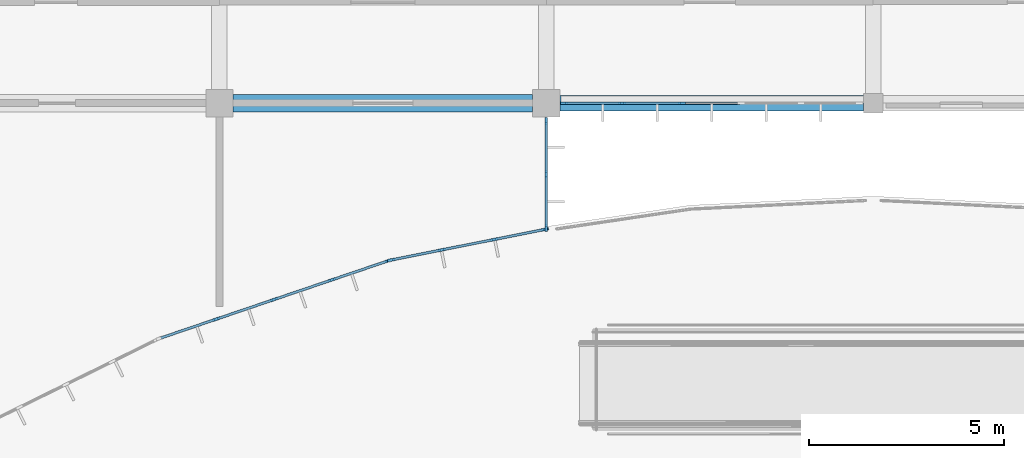
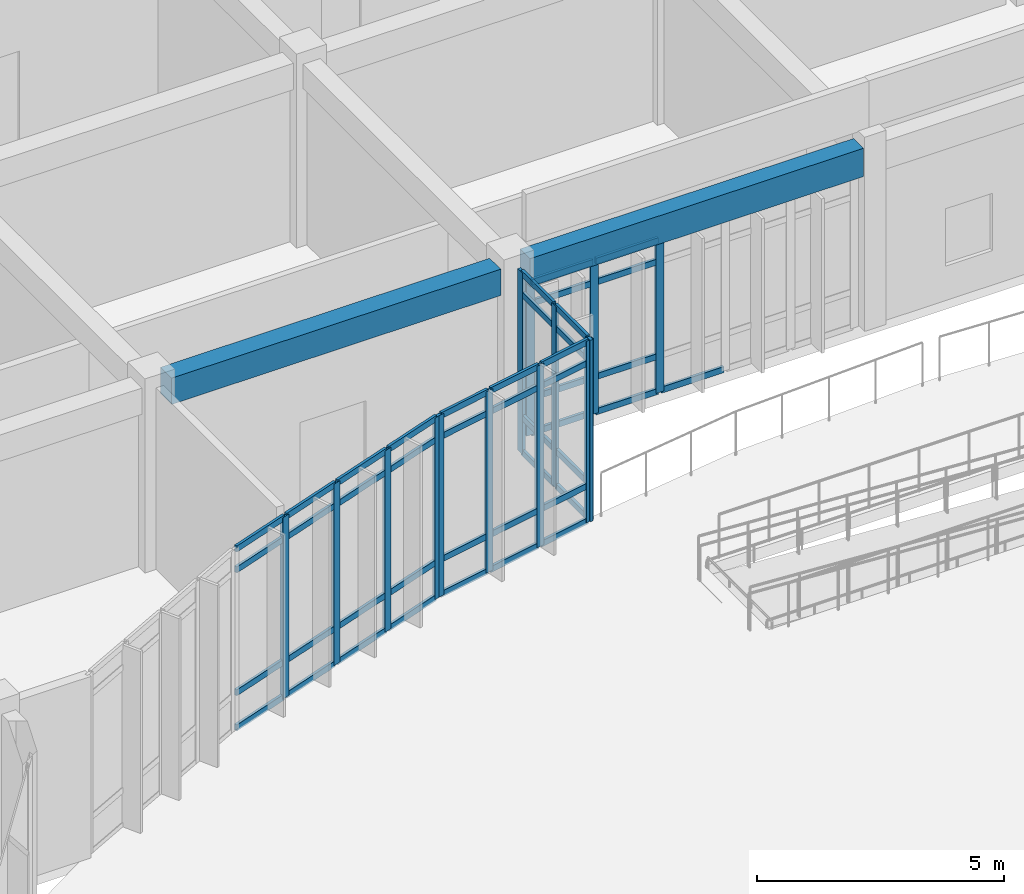
# One storey, part 56 of 138: 59 members, 2 beams, 4 elements without a shape of their own.
"""IFC4 building model written with IfcOpenShell, lengths in metres."""

from ifc_helpers import new_model, si_unit, direction, frame, origin, origin_2d, place, context, subcontext, project, spatial, rectangle, extrude, material, layer, layer_set, material_profile, profile_set, type_object, element, aggregate, save


model = new_model("IFC4")

# Units and contexts
model_context = context("Model", 3, precision=1e-05, world=origin(), true_north=direction((0.0, 1.0)))
body_context = subcontext(model_context, "Body", "Model", "MODEL_VIEW")
ifc_project = project(units=[si_unit("LENGTHUNIT", "METRE"), si_unit("AREAUNIT", "SQUARE_METRE"), si_unit("VOLUMEUNIT", "CUBIC_METRE"), si_unit("PLANEANGLEUNIT", "RADIAN"), si_unit("MASSUNIT", "GRAM", prefix="KILO")], contexts=[model_context])

# Site, building, storey
site_placement = place(None, origin())
site = spatial("IfcSite", under=ifc_project, at=site_placement, CompositionType="ELEMENT")
building_placement = place(site_placement, origin())
building = spatial("IfcBuilding", under=site, at=building_placement, Name="Bramfleet General Hospital", CompositionType="ELEMENT")
storey_placement = place(building_placement, origin())
storey = spatial("IfcBuildingStorey", under=building, at=storey_placement, Name="L00", CompositionType="ELEMENT", Elevation=0.0)

# Beams
ifc_material_1 = material(Name="Concrete C35/45", Category="concrete")
ifc_material_profile_1 = material_profile(ifc_material_1, rectangle(XDim=0.449951171875, YDim=0.64990234375, at=origin_2d()), Name="RC BM 650x450")
ifc_profile_set_1 = profile_set([ifc_material_profile_1], Name="Concrete C35/45")
beam_type_1 = type_object("IfcBeamType", Name="BM-RC650", PredefinedType="BEAM", material=ifc_profile_set_1)
beam_1_placement = place(storey_placement, frame((159.949951171875, 92.39990234375, 4.175048828125), z_axis=(1.0, 0.0, 0.0), x_axis=(0.0, 1.0, 0.0)))
element("IfcBeam", 1, at=beam_1_placement, inside=storey, type_object=beam_type_1, Name="L00 Grid Beam X 19-11", PredefinedType="BEAM", context=body_context, shape_type="SweptSolid", body=[
    extrude(rectangle(XDim=0.449951171875, YDim=0.64990234375, at=origin_2d()), origin(), (0.0, 0.0, 1.0), 7.699951171875),
])
ifc_material_profile_2 = material_profile(ifc_material_1, rectangle(XDim=0.39990234375, YDim=0.699951171875, at=origin_2d()), Name="RC SP 700x400")
ifc_profile_set_2 = profile_set([ifc_material_profile_2], Name="Concrete C35/45")
beam_type_2 = type_object("IfcBeamType", Name="BM-SP700", PredefinedType="SPANDREL", material=ifc_profile_set_2)
beam_2_placement = place(storey_placement, frame((168.35009765625, 92.39990234375, 4.14990234375), z_axis=(1.0, 0.0, 0.0), x_axis=(0.0, 1.0, 0.0)))
element("IfcBeam", 2, at=beam_2_placement, inside=storey, type_object=beam_type_2, Name="L00 Grid Beam X 20-11", PredefinedType="SPANDREL", context=body_context, shape_type="SweptSolid", body=[
    extrude(rectangle(XDim=0.39990234375, YDim=0.699951171875, at=origin_2d()), origin(), (0.0, 0.0, 1.0), 7.7998046875),
])

# Curtain wall, members
ifc_material_2 = material(Name="Anodised aluminium and low-E triple glazing", Category="aluminium")
ifc_layer_1 = layer(ifc_material_2, 0.179931640625, Name="CWT-CW-09")
ifc_layer_set_1 = layer_set([ifc_layer_1], Name="Anodised aluminium and low-E triple glazing")
curtain_wall_type_1 = type_object("IfcCurtainWallType", Name="CWT-CW-09", PredefinedType="USERDEFINED", material=ifc_layer_set_1)
curtain_wall_1_placement = place(storey_placement, origin())
curtain_wall_1 = element("IfcCurtainWall", 3, at=curtain_wall_1_placement, inside=storey, type_object=curtain_wall_type_1, Name="L00 Curtain Wall 9", ObjectType="Unitised curtain wall", PredefinedType="USERDEFINED")
ifc_material_3 = material(Name="Structural timber GL28h", Category="wood")
ifc_material_profile_3 = material_profile(ifc_material_3, rectangle(XDim=0.070068359375, YDim=0.18994140625, at=origin_2d()), Name="LARCH 190x70")
ifc_profile_set_3 = profile_set([ifc_material_profile_3], Name="Structural timber GL28h")
member_type_1 = type_object("IfcMemberType", Name="CWM-LARCH450", PredefinedType="MULLION", material=ifc_profile_set_3)
member_1_placement = place(storey_placement, frame((171.485107421875, 92.39990234375, 0.0), z_axis=(0.0, 0.0, 1.0), x_axis=(0.0, -1.0, 0.0)))
member_1 = element("IfcMember", 4, at=member_1_placement, type_object=member_type_1, Name="CW-09 mullion 4", PredefinedType="MULLION", context=body_context, shape_type="SweptSolid", body=[
    extrude(rectangle(XDim=0.070068359375, YDim=0.18994140625, at=origin_2d()), origin(), (0.0, 0.0, 1.0), 3.7900390625),
])
member_2_placement = place(storey_placement, frame((169.955078125, 92.39990234375, 0.0), z_axis=(0.0, 0.0, 1.0), x_axis=(0.0, -1.0, 0.0)))
member_2 = element("IfcMember", 5, at=member_2_placement, type_object=member_type_1, Name="CW-09 mullion 5", PredefinedType="MULLION", context=body_context, shape_type="SweptSolid", body=[
    extrude(rectangle(XDim=0.070068359375, YDim=0.18994140625, at=origin_2d()), origin(), (0.0, 0.0, 1.0), 3.7900390625),
])
member_3_placement = place(storey_placement, frame((168.4599609375, 92.39990234375, 0.0), z_axis=(0.0, 0.0, 1.0), x_axis=(0.0, -1.0, 0.0)))
member_3 = element("IfcMember", 6, at=member_3_placement, type_object=member_type_1, Name="CW-09 mullion 6", PredefinedType="MULLION", context=body_context, shape_type="SweptSolid", body=[
    extrude(rectangle(XDim=0.070068359375, YDim=0.18994140625, at=origin_2d()), origin(), (0.0, 0.0, 1.0), 3.7900390625),
])

ifc_layer_2 = layer(ifc_material_2, 0.179931640625, Name="CWT-CW-10")
ifc_layer_set_2 = layer_set([ifc_layer_2], Name="Anodised aluminium and low-E triple glazing")
curtain_wall_type_2 = type_object("IfcCurtainWallType", Name="CWT-CW-10", PredefinedType="USERDEFINED", material=ifc_layer_set_2)
curtain_wall_2_placement = place(storey_placement, origin())
curtain_wall_2 = element("IfcCurtainWall", 7, at=curtain_wall_2_placement, inside=storey, type_object=curtain_wall_type_2, Name="L00 Curtain Wall 10", ObjectType="Stick curtain wall", PredefinedType="USERDEFINED")
member_4_placement = place(storey_placement, frame((168.0, 91.93994140625, 0.0), z_axis=(0.0, 0.0, 1.0), x_axis=(1.0, 0.0, 0.0)))
member_4 = element("IfcMember", 8, at=member_4_placement, type_object=member_type_1, Name="CW-10 mullion 1", PredefinedType="MULLION", context=body_context, shape_type="SweptSolid", body=[
    extrude(rectangle(XDim=0.070068359375, YDim=0.18994140625, at=origin_2d()), origin(), (0.0, 0.0, 1.0), 4.489990234375),
])
member_5_placement = place(storey_placement, frame((168.0, 90.570068359375, 0.0), z_axis=(0.0, 0.0, 1.0), x_axis=(1.0, 0.0, 0.0)))
member_5 = element("IfcMember", 9, at=member_5_placement, type_object=member_type_1, Name="CW-10 mullion 2", PredefinedType="MULLION", context=body_context, shape_type="SweptSolid", body=[
    extrude(rectangle(XDim=0.070068359375, YDim=0.18994140625, at=origin_2d()), origin(), (0.0, 0.0, 1.0), 4.489990234375),
])
member_6_placement = place(storey_placement, frame((168.0, 89.199951171875, 0.0), z_axis=(0.0, 0.0, 1.0), x_axis=(1.0, 0.0, 0.0)))
member_6 = element("IfcMember", 10, at=member_6_placement, type_object=member_type_1, Name="CW-10 mullion 3", PredefinedType="MULLION", context=body_context, shape_type="SweptSolid", body=[
    extrude(rectangle(XDim=0.070068359375, YDim=0.18994140625, at=origin_2d()), origin(), (0.0, 0.0, 1.0), 4.489990234375),
])

ifc_layer_3 = layer(ifc_material_2, 0.179931640625, Name="CWT-CW-11")
ifc_layer_set_3 = layer_set([ifc_layer_3], Name="Anodised aluminium and low-E triple glazing")
curtain_wall_type_3 = type_object("IfcCurtainWallType", Name="CWT-CW-11", PredefinedType="USERDEFINED", material=ifc_layer_set_3)
curtain_wall_3_placement = place(storey_placement, origin())
curtain_wall_3 = element("IfcCurtainWall", 11, at=curtain_wall_3_placement, inside=storey, type_object=curtain_wall_type_3, Name="L00 Curtain Wall 11", ObjectType="Stick curtain wall", PredefinedType="USERDEFINED")
member_7_placement = place(storey_placement, frame((167.965576171875, 89.158203125, 0.0), z_axis=(0.0, 0.0, 1.0), x_axis=(0.195272189606, -0.980749087161, 0.0)))
member_7 = element("IfcMember", 12, at=member_7_placement, type_object=member_type_1, Name="CW-11 mullion 1", PredefinedType="MULLION", context=body_context, shape_type="SweptSolid", body=[
    extrude(rectangle(XDim=0.070068359375, YDim=0.18994140625, at=origin_2d()), origin(), (0.0, 0.0, 1.0), 4.489990234375),
])
member_8_placement = place(storey_placement, frame((166.658935546875, 88.89794921875, 0.0), z_axis=(0.0, 0.0, 1.0), x_axis=(0.195272189606, -0.980749087161, 0.0)))
member_8 = element("IfcMember", 13, at=member_8_placement, type_object=member_type_1, Name="CW-11 mullion 2", PredefinedType="MULLION", context=body_context, shape_type="SweptSolid", body=[
    extrude(rectangle(XDim=0.070068359375, YDim=0.18994140625, at=origin_2d()), origin(), (0.0, 0.0, 1.0), 4.489990234375),
])
member_9_placement = place(storey_placement, frame((165.318115234375, 88.631103515625, 0.0), z_axis=(0.0, 0.0, 1.0), x_axis=(0.195272189606, -0.980749087161, 0.0)))
member_9 = element("IfcMember", 14, at=member_9_placement, type_object=member_type_1, Name="CW-11 mullion 3", PredefinedType="MULLION", context=body_context, shape_type="SweptSolid", body=[
    extrude(rectangle(XDim=0.070068359375, YDim=0.18994140625, at=origin_2d()), origin(), (0.0, 0.0, 1.0), 4.489990234375),
])
member_10_placement = place(storey_placement, frame((164.01123046875, 88.370849609375, 0.0), z_axis=(0.0, 0.0, 1.0), x_axis=(0.195272189606, -0.980749087161, 0.0)))
member_10 = element("IfcMember", 15, at=member_10_placement, type_object=member_type_1, Name="CW-11 mullion 4", PredefinedType="MULLION", context=body_context, shape_type="SweptSolid", body=[
    extrude(rectangle(XDim=0.070068359375, YDim=0.18994140625, at=origin_2d()), origin(), (0.0, 0.0, 1.0), 4.489990234375),
])

ifc_layer_4 = layer(ifc_material_2, 0.179931640625, Name="CWT-CW-12")
ifc_layer_set_4 = layer_set([ifc_layer_4], Name="Anodised aluminium and low-E triple glazing")
curtain_wall_type_4 = type_object("IfcCurtainWallType", Name="CWT-CW-12", PredefinedType="USERDEFINED", material=ifc_layer_set_4)
curtain_wall_4_placement = place(storey_placement, origin())
curtain_wall_4 = element("IfcCurtainWall", 16, at=curtain_wall_4_placement, inside=storey, type_object=curtain_wall_type_4, Name="L00 Curtain Wall 12", ObjectType="Stick curtain wall", PredefinedType="USERDEFINED")
member_11_placement = place(storey_placement, frame((163.94384765625, 88.352783203125, 0.0), z_axis=(0.0, 0.0, 1.0), x_axis=(0.321383054181, -0.946949276617, 0.0)))
member_11 = element("IfcMember", 17, at=member_11_placement, type_object=member_type_1, Name="CW-12 mullion 1", PredefinedType="MULLION", context=body_context, shape_type="SweptSolid", body=[
    extrude(rectangle(XDim=0.070068359375, YDim=0.18994140625, at=origin_2d()), origin(), (0.0, 0.0, 1.0), 4.489990234375),
])
member_12_placement = place(storey_placement, frame((162.490478515625, 87.859619140625, 0.0), z_axis=(0.0, 0.0, 1.0), x_axis=(0.321383054181, -0.946949276617, 0.0)))
member_12 = element("IfcMember", 18, at=member_12_placement, type_object=member_type_1, Name="CW-12 mullion 2", PredefinedType="MULLION", context=body_context, shape_type="SweptSolid", body=[
    extrude(rectangle(XDim=0.070068359375, YDim=0.18994140625, at=origin_2d()), origin(), (0.0, 0.0, 1.0), 4.489990234375),
])
member_13_placement = place(storey_placement, frame((161.00390625, 87.35498046875, 0.0), z_axis=(0.0, 0.0, 1.0), x_axis=(0.321383054181, -0.946949276617, 0.0)))
member_13 = element("IfcMember", 19, at=member_13_placement, type_object=member_type_1, Name="CW-12 mullion 3", PredefinedType="MULLION", context=body_context, shape_type="SweptSolid", body=[
    extrude(rectangle(XDim=0.070068359375, YDim=0.18994140625, at=origin_2d()), origin(), (0.0, 0.0, 1.0), 4.489990234375),
])
member_14_placement = place(storey_placement, frame((159.517578125, 86.8505859375, 0.0), z_axis=(0.0, 0.0, 1.0), x_axis=(0.321383054181, -0.946949276617, 0.0)))
member_14 = element("IfcMember", 20, at=member_14_placement, type_object=member_type_1, Name="CW-12 mullion 4", PredefinedType="MULLION", context=body_context, shape_type="SweptSolid", body=[
    extrude(rectangle(XDim=0.070068359375, YDim=0.18994140625, at=origin_2d()), origin(), (0.0, 0.0, 1.0), 4.489990234375),
])

# Member
ifc_material_profile_4 = material_profile(ifc_material_3, rectangle(XDim=0.06494140625, YDim=0.14990234375, at=origin_2d()), Name="LARCH 150x65")
ifc_profile_set_4 = profile_set([ifc_material_profile_4], Name="Structural timber GL28h")
member_type_2 = type_object("IfcMemberType", Name="CWT-LARCH220", PredefinedType="USERDEFINED", material=ifc_profile_set_4)
member_15_placement = place(storey_placement, frame((172.97998046875, 92.39990234375, 0.032470703125), z_axis=(-1.0, 0.0, 0.0), x_axis=(0.0, -1.0, 0.0)))
member_15 = element("IfcMember", 21, at=member_15_placement, type_object=member_type_2, Name="CW-09 transom 3.1", ObjectType="TRANSOM", PredefinedType="USERDEFINED", context=body_context, shape_type="SweptSolid", body=[
    extrude(rectangle(XDim=0.06494140625, YDim=0.14990234375, at=origin_2d()), origin(), (0.0, 0.0, 1.0), 1.4599609375),
])

member_16_placement = place(storey_placement, frame((171.449951171875, 92.39990234375, 0.032470703125), z_axis=(-1.0, 0.0, 0.0), x_axis=(0.0, -1.0, 0.0)))
member_16 = element("IfcMember", 22, at=member_16_placement, type_object=member_type_2, Name="CW-09 transom 4.1", ObjectType="TRANSOM", PredefinedType="USERDEFINED", context=body_context, shape_type="SweptSolid", body=[
    extrude(rectangle(XDim=0.06494140625, YDim=0.14990234375, at=origin_2d()), origin(), (0.0, 0.0, 1.0), 1.4599609375),
])

member_17_placement = place(storey_placement, frame((171.449951171875, 92.39990234375, 0.89990234375), z_axis=(-1.0, 0.0, 0.0), x_axis=(0.0, -1.0, 0.0)))
member_17 = element("IfcMember", 23, at=member_17_placement, type_object=member_type_2, Name="CW-09 transom 4.2", ObjectType="TRANSOM", PredefinedType="USERDEFINED", context=body_context, shape_type="SweptSolid", body=[
    extrude(rectangle(XDim=0.06494140625, YDim=0.14990234375, at=origin_2d()), origin(), (0.0, 0.0, 1.0), 1.4599609375),
])

member_18_placement = place(storey_placement, frame((171.449951171875, 92.39990234375, 3.239990234375), z_axis=(-1.0, 0.0, 0.0), x_axis=(0.0, -1.0, 0.0)))
member_18 = element("IfcMember", 24, at=member_18_placement, type_object=member_type_2, Name="CW-09 transom 4.3", ObjectType="TRANSOM", PredefinedType="USERDEFINED", context=body_context, shape_type="SweptSolid", body=[
    extrude(rectangle(XDim=0.06494140625, YDim=0.14990234375, at=origin_2d()), origin(), (0.0, 0.0, 1.0), 1.4599609375),
])

member_19_placement = place(storey_placement, frame((171.449951171875, 92.39990234375, 3.757568359375), z_axis=(-1.0, 0.0, 0.0), x_axis=(0.0, -1.0, 0.0)))
member_19 = element("IfcMember", 25, at=member_19_placement, type_object=member_type_2, Name="CW-09 transom 4.4", ObjectType="TRANSOM", PredefinedType="USERDEFINED", context=body_context, shape_type="SweptSolid", body=[
    extrude(rectangle(XDim=0.06494140625, YDim=0.14990234375, at=origin_2d()), origin(), (0.0, 0.0, 1.0), 1.4599609375),
])

member_20_placement = place(storey_placement, frame((169.919921875, 92.39990234375, 0.032470703125), z_axis=(-1.0, 0.0, 0.0), x_axis=(0.0, -1.0, 0.0)))
member_20 = element("IfcMember", 26, at=member_20_placement, type_object=member_type_2, Name="CW-09 transom 5.1", ObjectType="TRANSOM", PredefinedType="USERDEFINED", context=body_context, shape_type="SweptSolid", body=[
    extrude(rectangle(XDim=0.06494140625, YDim=0.14990234375, at=origin_2d()), origin(), (0.0, 0.0, 1.0), 1.4248046875),
])

member_21_placement = place(storey_placement, frame((169.919921875, 92.39990234375, 0.89990234375), z_axis=(-1.0, 0.0, 0.0), x_axis=(0.0, -1.0, 0.0)))
member_21 = element("IfcMember", 27, at=member_21_placement, type_object=member_type_2, Name="CW-09 transom 5.2", ObjectType="TRANSOM", PredefinedType="USERDEFINED", context=body_context, shape_type="SweptSolid", body=[
    extrude(rectangle(XDim=0.06494140625, YDim=0.14990234375, at=origin_2d()), origin(), (0.0, 0.0, 1.0), 1.4248046875),
])

member_22_placement = place(storey_placement, frame((169.919921875, 92.39990234375, 3.239990234375), z_axis=(-1.0, 0.0, 0.0), x_axis=(0.0, -1.0, 0.0)))
member_22 = element("IfcMember", 28, at=member_22_placement, type_object=member_type_2, Name="CW-09 transom 5.3", ObjectType="TRANSOM", PredefinedType="USERDEFINED", context=body_context, shape_type="SweptSolid", body=[
    extrude(rectangle(XDim=0.06494140625, YDim=0.14990234375, at=origin_2d()), origin(), (0.0, 0.0, 1.0), 1.4248046875),
])

member_23_placement = place(storey_placement, frame((169.919921875, 92.39990234375, 3.757568359375), z_axis=(-1.0, 0.0, 0.0), x_axis=(0.0, -1.0, 0.0)))
member_23 = element("IfcMember", 29, at=member_23_placement, type_object=member_type_2, Name="CW-09 transom 5.4", ObjectType="TRANSOM", PredefinedType="USERDEFINED", context=body_context, shape_type="SweptSolid", body=[
    extrude(rectangle(XDim=0.06494140625, YDim=0.14990234375, at=origin_2d()), origin(), (0.0, 0.0, 1.0), 1.4248046875),
])

aggregate(curtain_wall_1, [member_1, member_2, member_3, member_15, member_16, member_17, member_18, member_19, member_20, member_21, member_22, member_23])

member_24_placement = place(storey_placement, frame((168.0, 91.905029296875, 0.032470703125), z_axis=(0.0, -1.0, 0.0), x_axis=(1.0, 0.0, 0.0)))
member_24 = element("IfcMember", 30, at=member_24_placement, type_object=member_type_2, Name="CW-10 transom 1.1", ObjectType="TRANSOM", PredefinedType="USERDEFINED", context=body_context, shape_type="SweptSolid", body=[
    extrude(rectangle(XDim=0.06494140625, YDim=0.14990234375, at=origin_2d()), origin(), (0.0, 0.0, 1.0), 1.300048828125),
])

member_25_placement = place(storey_placement, frame((168.0, 91.905029296875, 0.89990234375), z_axis=(0.0, -1.0, 0.0), x_axis=(1.0, 0.0, 0.0)))
member_25 = element("IfcMember", 31, at=member_25_placement, type_object=member_type_2, Name="CW-10 transom 1.2", ObjectType="TRANSOM", PredefinedType="USERDEFINED", context=body_context, shape_type="SweptSolid", body=[
    extrude(rectangle(XDim=0.06494140625, YDim=0.14990234375, at=origin_2d()), origin(), (0.0, 0.0, 1.0), 1.300048828125),
])

member_26_placement = place(storey_placement, frame((168.0, 91.905029296875, 3.93994140625), z_axis=(0.0, -1.0, 0.0), x_axis=(1.0, 0.0, 0.0)))
member_26 = element("IfcMember", 32, at=member_26_placement, type_object=member_type_2, Name="CW-10 transom 1.3", ObjectType="TRANSOM", PredefinedType="USERDEFINED", context=body_context, shape_type="SweptSolid", body=[
    extrude(rectangle(XDim=0.06494140625, YDim=0.14990234375, at=origin_2d()), origin(), (0.0, 0.0, 1.0), 1.300048828125),
])

member_27_placement = place(storey_placement, frame((168.0, 91.905029296875, 4.45751953125), z_axis=(0.0, -1.0, 0.0), x_axis=(1.0, 0.0, 0.0)))
member_27 = element("IfcMember", 33, at=member_27_placement, type_object=member_type_2, Name="CW-10 transom 1.4", ObjectType="TRANSOM", PredefinedType="USERDEFINED", context=body_context, shape_type="SweptSolid", body=[
    extrude(rectangle(XDim=0.06494140625, YDim=0.14990234375, at=origin_2d()), origin(), (0.0, 0.0, 1.0), 1.300048828125),
])

member_28_placement = place(storey_placement, frame((168.0, 90.534912109375, 0.032470703125), z_axis=(0.0, -1.0, 0.0), x_axis=(1.0, 0.0, 0.0)))
member_28 = element("IfcMember", 34, at=member_28_placement, type_object=member_type_2, Name="CW-10 transom 2.1", ObjectType="TRANSOM", PredefinedType="USERDEFINED", context=body_context, shape_type="SweptSolid", body=[
    extrude(rectangle(XDim=0.06494140625, YDim=0.14990234375, at=origin_2d()), origin(), (0.0, 0.0, 1.0), 1.2998046875),
])

member_29_placement = place(storey_placement, frame((168.0, 90.534912109375, 0.89990234375), z_axis=(0.0, -1.0, 0.0), x_axis=(1.0, 0.0, 0.0)))
member_29 = element("IfcMember", 35, at=member_29_placement, type_object=member_type_2, Name="CW-10 transom 2.2", ObjectType="TRANSOM", PredefinedType="USERDEFINED", context=body_context, shape_type="SweptSolid", body=[
    extrude(rectangle(XDim=0.06494140625, YDim=0.14990234375, at=origin_2d()), origin(), (0.0, 0.0, 1.0), 1.2998046875),
])

member_30_placement = place(storey_placement, frame((168.0, 90.534912109375, 3.93994140625), z_axis=(0.0, -1.0, 0.0), x_axis=(1.0, 0.0, 0.0)))
member_30 = element("IfcMember", 36, at=member_30_placement, type_object=member_type_2, Name="CW-10 transom 2.3", ObjectType="TRANSOM", PredefinedType="USERDEFINED", context=body_context, shape_type="SweptSolid", body=[
    extrude(rectangle(XDim=0.06494140625, YDim=0.14990234375, at=origin_2d()), origin(), (0.0, 0.0, 1.0), 1.2998046875),
])

member_31_placement = place(storey_placement, frame((168.0, 90.534912109375, 4.45751953125), z_axis=(0.0, -1.0, 0.0), x_axis=(1.0, 0.0, 0.0)))
member_31 = element("IfcMember", 37, at=member_31_placement, type_object=member_type_2, Name="CW-10 transom 2.4", ObjectType="TRANSOM", PredefinedType="USERDEFINED", context=body_context, shape_type="SweptSolid", body=[
    extrude(rectangle(XDim=0.06494140625, YDim=0.14990234375, at=origin_2d()), origin(), (0.0, 0.0, 1.0), 1.2998046875),
])

aggregate(curtain_wall_2, [member_4, member_5, member_6, member_24, member_25, member_26, member_27, member_28, member_29, member_30, member_31])

member_32_placement = place(storey_placement, frame((167.931396484375, 89.1513671875, 0.032470703125), z_axis=(-0.980736573153, -0.195335030346, 0.0), x_axis=(0.195335030346, -0.980736573153, 0.0)))
member_32 = element("IfcMember", 38, at=member_32_placement, type_object=member_type_2, Name="CW-11 transom 1.1", ObjectType="TRANSOM", PredefinedType="USERDEFINED", context=body_context, shape_type="SweptSolid", body=[
    extrude(rectangle(XDim=0.06494140625, YDim=0.14990234375, at=origin_2d()), origin(), (0.0, 0.0, 1.0), 1.262451171875),
])

member_33_placement = place(storey_placement, frame((167.931396484375, 89.1513671875, 0.89990234375), z_axis=(-0.980736573153, -0.195335030346, 0.0), x_axis=(0.195335030346, -0.980736573153, 0.0)))
member_33 = element("IfcMember", 39, at=member_33_placement, type_object=member_type_2, Name="CW-11 transom 1.2", ObjectType="TRANSOM", PredefinedType="USERDEFINED", context=body_context, shape_type="SweptSolid", body=[
    extrude(rectangle(XDim=0.06494140625, YDim=0.14990234375, at=origin_2d()), origin(), (0.0, 0.0, 1.0), 1.262451171875),
])

member_34_placement = place(storey_placement, frame((167.931396484375, 89.1513671875, 3.93994140625), z_axis=(-0.980736573153, -0.195335030346, 0.0), x_axis=(0.195335030346, -0.980736573153, 0.0)))
member_34 = element("IfcMember", 40, at=member_34_placement, type_object=member_type_2, Name="CW-11 transom 1.3", ObjectType="TRANSOM", PredefinedType="USERDEFINED", context=body_context, shape_type="SweptSolid", body=[
    extrude(rectangle(XDim=0.06494140625, YDim=0.14990234375, at=origin_2d()), origin(), (0.0, 0.0, 1.0), 1.262451171875),
])

member_35_placement = place(storey_placement, frame((167.931396484375, 89.1513671875, 4.45751953125), z_axis=(-0.980736573153, -0.195335030346, 0.0), x_axis=(0.195335030346, -0.980736573153, 0.0)))
member_35 = element("IfcMember", 41, at=member_35_placement, type_object=member_type_2, Name="CW-11 transom 1.4", ObjectType="TRANSOM", PredefinedType="USERDEFINED", context=body_context, shape_type="SweptSolid", body=[
    extrude(rectangle(XDim=0.06494140625, YDim=0.14990234375, at=origin_2d()), origin(), (0.0, 0.0, 1.0), 1.262451171875),
])

member_36_placement = place(storey_placement, frame((166.624755859375, 88.89111328125, 0.032470703125), z_axis=(-0.9807756029, -0.195138967806, 0.0), x_axis=(0.195138967806, -0.9807756029, 0.0)))
member_36 = element("IfcMember", 42, at=member_36_placement, type_object=member_type_2, Name="CW-11 transom 2.1", ObjectType="TRANSOM", PredefinedType="USERDEFINED", context=body_context, shape_type="SweptSolid", body=[
    extrude(rectangle(XDim=0.06494140625, YDim=0.14990234375, at=origin_2d()), origin(), (0.0, 0.0, 1.0), 1.29736328125),
])

member_37_placement = place(storey_placement, frame((166.624755859375, 88.89111328125, 0.89990234375), z_axis=(-0.9807756029, -0.195138967806, 0.0), x_axis=(0.195138967806, -0.9807756029, 0.0)))
member_37 = element("IfcMember", 43, at=member_37_placement, type_object=member_type_2, Name="CW-11 transom 2.2", ObjectType="TRANSOM", PredefinedType="USERDEFINED", context=body_context, shape_type="SweptSolid", body=[
    extrude(rectangle(XDim=0.06494140625, YDim=0.14990234375, at=origin_2d()), origin(), (0.0, 0.0, 1.0), 1.29736328125),
])

member_38_placement = place(storey_placement, frame((166.624755859375, 88.89111328125, 3.93994140625), z_axis=(-0.9807756029, -0.195138967806, 0.0), x_axis=(0.195138967806, -0.9807756029, 0.0)))
member_38 = element("IfcMember", 44, at=member_38_placement, type_object=member_type_2, Name="CW-11 transom 2.3", ObjectType="TRANSOM", PredefinedType="USERDEFINED", context=body_context, shape_type="SweptSolid", body=[
    extrude(rectangle(XDim=0.06494140625, YDim=0.14990234375, at=origin_2d()), origin(), (0.0, 0.0, 1.0), 1.29736328125),
])

member_39_placement = place(storey_placement, frame((166.624755859375, 88.89111328125, 4.45751953125), z_axis=(-0.9807756029, -0.195138967806, 0.0), x_axis=(0.195138967806, -0.9807756029, 0.0)))
member_39 = element("IfcMember", 45, at=member_39_placement, type_object=member_type_2, Name="CW-11 transom 2.4", ObjectType="TRANSOM", PredefinedType="USERDEFINED", context=body_context, shape_type="SweptSolid", body=[
    extrude(rectangle(XDim=0.06494140625, YDim=0.14990234375, at=origin_2d()), origin(), (0.0, 0.0, 1.0), 1.29736328125),
])

member_40_placement = place(storey_placement, frame((165.28369140625, 88.624267578125, 0.032470703125), z_axis=(-0.980736573153, -0.195335030346, 0.0), x_axis=(0.195335030346, -0.980736573153, 0.0)))
member_40 = element("IfcMember", 46, at=member_40_placement, type_object=member_type_2, Name="CW-11 transom 3.1", ObjectType="TRANSOM", PredefinedType="USERDEFINED", context=body_context, shape_type="SweptSolid", body=[
    extrude(rectangle(XDim=0.06494140625, YDim=0.14990234375, at=origin_2d()), origin(), (0.0, 0.0, 1.0), 1.262451171875),
])

member_41_placement = place(storey_placement, frame((165.28369140625, 88.624267578125, 0.89990234375), z_axis=(-0.980736573153, -0.195335030346, 0.0), x_axis=(0.195335030346, -0.980736573153, 0.0)))
member_41 = element("IfcMember", 47, at=member_41_placement, type_object=member_type_2, Name="CW-11 transom 3.2", ObjectType="TRANSOM", PredefinedType="USERDEFINED", context=body_context, shape_type="SweptSolid", body=[
    extrude(rectangle(XDim=0.06494140625, YDim=0.14990234375, at=origin_2d()), origin(), (0.0, 0.0, 1.0), 1.262451171875),
])

member_42_placement = place(storey_placement, frame((165.28369140625, 88.624267578125, 3.93994140625), z_axis=(-0.980736573153, -0.195335030346, 0.0), x_axis=(0.195335030346, -0.980736573153, 0.0)))
member_42 = element("IfcMember", 48, at=member_42_placement, type_object=member_type_2, Name="CW-11 transom 3.3", ObjectType="TRANSOM", PredefinedType="USERDEFINED", context=body_context, shape_type="SweptSolid", body=[
    extrude(rectangle(XDim=0.06494140625, YDim=0.14990234375, at=origin_2d()), origin(), (0.0, 0.0, 1.0), 1.262451171875),
])

member_43_placement = place(storey_placement, frame((165.28369140625, 88.624267578125, 4.45751953125), z_axis=(-0.980736573153, -0.195335030346, 0.0), x_axis=(0.195335030346, -0.980736573153, 0.0)))
member_43 = element("IfcMember", 49, at=member_43_placement, type_object=member_type_2, Name="CW-11 transom 3.4", ObjectType="TRANSOM", PredefinedType="USERDEFINED", context=body_context, shape_type="SweptSolid", body=[
    extrude(rectangle(XDim=0.06494140625, YDim=0.14990234375, at=origin_2d()), origin(), (0.0, 0.0, 1.0), 1.262451171875),
])

aggregate(curtain_wall_3, [member_7, member_8, member_9, member_10, member_32, member_33, member_34, member_35, member_36, member_37, member_38, member_39, member_40, member_41, member_42, member_43])

member_44_placement = place(storey_placement, frame((163.91064453125, 88.341552734375, 0.032470703125), z_axis=(-0.946952433244, -0.321373753088, 0.0), x_axis=(0.321373753088, -0.946952433244, 0.0)))
member_44 = element("IfcMember", 50, at=member_44_placement, type_object=member_type_2, Name="CW-12 transom 1.1", ObjectType="TRANSOM", PredefinedType="USERDEFINED", context=body_context, shape_type="SweptSolid", body=[
    extrude(rectangle(XDim=0.06494140625, YDim=0.14990234375, at=origin_2d()), origin(), (0.0, 0.0, 1.0), 1.464599609375),
])

member_45_placement = place(storey_placement, frame((163.91064453125, 88.341552734375, 0.89990234375), z_axis=(-0.946952433244, -0.321373753088, 0.0), x_axis=(0.321373753088, -0.946952433244, 0.0)))
member_45 = element("IfcMember", 51, at=member_45_placement, type_object=member_type_2, Name="CW-12 transom 1.2", ObjectType="TRANSOM", PredefinedType="USERDEFINED", context=body_context, shape_type="SweptSolid", body=[
    extrude(rectangle(XDim=0.06494140625, YDim=0.14990234375, at=origin_2d()), origin(), (0.0, 0.0, 1.0), 1.464599609375),
])

member_46_placement = place(storey_placement, frame((163.91064453125, 88.341552734375, 3.93994140625), z_axis=(-0.946952433244, -0.321373753088, 0.0), x_axis=(0.321373753088, -0.946952433244, 0.0)))
member_46 = element("IfcMember", 52, at=member_46_placement, type_object=member_type_2, Name="CW-12 transom 1.3", ObjectType="TRANSOM", PredefinedType="USERDEFINED", context=body_context, shape_type="SweptSolid", body=[
    extrude(rectangle(XDim=0.06494140625, YDim=0.14990234375, at=origin_2d()), origin(), (0.0, 0.0, 1.0), 1.464599609375),
])

member_47_placement = place(storey_placement, frame((163.91064453125, 88.341552734375, 4.45751953125), z_axis=(-0.946952433244, -0.321373753088, 0.0), x_axis=(0.321373753088, -0.946952433244, 0.0)))
member_47 = element("IfcMember", 53, at=member_47_placement, type_object=member_type_2, Name="CW-12 transom 1.4", ObjectType="TRANSOM", PredefinedType="USERDEFINED", context=body_context, shape_type="SweptSolid", body=[
    extrude(rectangle(XDim=0.06494140625, YDim=0.14990234375, at=origin_2d()), origin(), (0.0, 0.0, 1.0), 1.464599609375),
])

member_48_placement = place(storey_placement, frame((162.457275390625, 87.84814453125, 0.032470703125), z_axis=(-0.946960124542, -0.321351089195, 0.0), x_axis=(0.321351089195, -0.946960124542, 0.0)))
member_48 = element("IfcMember", 54, at=member_48_placement, type_object=member_type_2, Name="CW-12 transom 2.1", ObjectType="TRANSOM", PredefinedType="USERDEFINED", context=body_context, shape_type="SweptSolid", body=[
    extrude(rectangle(XDim=0.06494140625, YDim=0.14990234375, at=origin_2d()), origin(), (0.0, 0.0, 1.0), 1.499755859375),
])

member_49_placement = place(storey_placement, frame((162.457275390625, 87.84814453125, 0.89990234375), z_axis=(-0.946960124542, -0.321351089195, 0.0), x_axis=(0.321351089195, -0.946960124542, 0.0)))
member_49 = element("IfcMember", 55, at=member_49_placement, type_object=member_type_2, Name="CW-12 transom 2.2", ObjectType="TRANSOM", PredefinedType="USERDEFINED", context=body_context, shape_type="SweptSolid", body=[
    extrude(rectangle(XDim=0.06494140625, YDim=0.14990234375, at=origin_2d()), origin(), (0.0, 0.0, 1.0), 1.499755859375),
])

member_50_placement = place(storey_placement, frame((162.457275390625, 87.84814453125, 3.93994140625), z_axis=(-0.946960124542, -0.321351089195, 0.0), x_axis=(0.321351089195, -0.946960124542, 0.0)))
member_50 = element("IfcMember", 56, at=member_50_placement, type_object=member_type_2, Name="CW-12 transom 2.3", ObjectType="TRANSOM", PredefinedType="USERDEFINED", context=body_context, shape_type="SweptSolid", body=[
    extrude(rectangle(XDim=0.06494140625, YDim=0.14990234375, at=origin_2d()), origin(), (0.0, 0.0, 1.0), 1.499755859375),
])

member_51_placement = place(storey_placement, frame((162.457275390625, 87.84814453125, 4.45751953125), z_axis=(-0.946960124542, -0.321351089195, 0.0), x_axis=(0.321351089195, -0.946960124542, 0.0)))
member_51 = element("IfcMember", 57, at=member_51_placement, type_object=member_type_2, Name="CW-12 transom 2.4", ObjectType="TRANSOM", PredefinedType="USERDEFINED", context=body_context, shape_type="SweptSolid", body=[
    extrude(rectangle(XDim=0.06494140625, YDim=0.14990234375, at=origin_2d()), origin(), (0.0, 0.0, 1.0), 1.499755859375),
])

member_52_placement = place(storey_placement, frame((160.970947265625, 87.34375, 0.032470703125), z_axis=(-0.946976931603, -0.321301557749, 0.0), x_axis=(0.321301557749, -0.946976931603, 0.0)))
member_52 = element("IfcMember", 58, at=member_52_placement, type_object=member_type_2, Name="CW-12 transom 3.1", ObjectType="TRANSOM", PredefinedType="USERDEFINED", context=body_context, shape_type="SweptSolid", body=[
    extrude(rectangle(XDim=0.06494140625, YDim=0.14990234375, at=origin_2d()), origin(), (0.0, 0.0, 1.0), 1.5),
])

member_53_placement = place(storey_placement, frame((160.970947265625, 87.34375, 0.89990234375), z_axis=(-0.946976931603, -0.321301557749, 0.0), x_axis=(0.321301557749, -0.946976931603, 0.0)))
member_53 = element("IfcMember", 59, at=member_53_placement, type_object=member_type_2, Name="CW-12 transom 3.2", ObjectType="TRANSOM", PredefinedType="USERDEFINED", context=body_context, shape_type="SweptSolid", body=[
    extrude(rectangle(XDim=0.06494140625, YDim=0.14990234375, at=origin_2d()), origin(), (0.0, 0.0, 1.0), 1.5),
])

member_54_placement = place(storey_placement, frame((160.970947265625, 87.34375, 3.93994140625), z_axis=(-0.946976931603, -0.321301557749, 0.0), x_axis=(0.321301557749, -0.946976931603, 0.0)))
member_54 = element("IfcMember", 60, at=member_54_placement, type_object=member_type_2, Name="CW-12 transom 3.3", ObjectType="TRANSOM", PredefinedType="USERDEFINED", context=body_context, shape_type="SweptSolid", body=[
    extrude(rectangle(XDim=0.06494140625, YDim=0.14990234375, at=origin_2d()), origin(), (0.0, 0.0, 1.0), 1.5),
])

member_55_placement = place(storey_placement, frame((160.970947265625, 87.34375, 4.45751953125), z_axis=(-0.946976931603, -0.321301557749, 0.0), x_axis=(0.321301557749, -0.946976931603, 0.0)))
member_55 = element("IfcMember", 61, at=member_55_placement, type_object=member_type_2, Name="CW-12 transom 3.4", ObjectType="TRANSOM", PredefinedType="USERDEFINED", context=body_context, shape_type="SweptSolid", body=[
    extrude(rectangle(XDim=0.06494140625, YDim=0.14990234375, at=origin_2d()), origin(), (0.0, 0.0, 1.0), 1.5),
])

member_56_placement = place(storey_placement, frame((159.484375, 86.83935546875, 0.032470703125), z_axis=(-0.946918923538, -0.321472475098, 0.0), x_axis=(0.321472475098, -0.946918923538, 0.0)))
member_56 = element("IfcMember", 62, at=member_56_placement, type_object=member_type_2, Name="CW-12 transom 4.1", ObjectType="TRANSOM", PredefinedType="USERDEFINED", context=body_context, shape_type="SweptSolid", body=[
    extrude(rectangle(XDim=0.06494140625, YDim=0.14990234375, at=origin_2d()), origin(), (0.0, 0.0, 1.0), 1.465087890625),
])

member_57_placement = place(storey_placement, frame((159.484375, 86.83935546875, 0.89990234375), z_axis=(-0.946918923538, -0.321472475098, 0.0), x_axis=(0.321472475098, -0.946918923538, 0.0)))
member_57 = element("IfcMember", 63, at=member_57_placement, type_object=member_type_2, Name="CW-12 transom 4.2", ObjectType="TRANSOM", PredefinedType="USERDEFINED", context=body_context, shape_type="SweptSolid", body=[
    extrude(rectangle(XDim=0.06494140625, YDim=0.14990234375, at=origin_2d()), origin(), (0.0, 0.0, 1.0), 1.465087890625),
])

member_58_placement = place(storey_placement, frame((159.484375, 86.83935546875, 3.93994140625), z_axis=(-0.946918923538, -0.321472475098, 0.0), x_axis=(0.321472475098, -0.946918923538, 0.0)))
member_58 = element("IfcMember", 64, at=member_58_placement, type_object=member_type_2, Name="CW-12 transom 4.3", ObjectType="TRANSOM", PredefinedType="USERDEFINED", context=body_context, shape_type="SweptSolid", body=[
    extrude(rectangle(XDim=0.06494140625, YDim=0.14990234375, at=origin_2d()), origin(), (0.0, 0.0, 1.0), 1.465087890625),
])

member_59_placement = place(storey_placement, frame((159.484375, 86.83935546875, 4.45751953125), z_axis=(-0.946918923538, -0.321472475098, 0.0), x_axis=(0.321472475098, -0.946918923538, 0.0)))
member_59 = element("IfcMember", 65, at=member_59_placement, type_object=member_type_2, Name="CW-12 transom 4.4", ObjectType="TRANSOM", PredefinedType="USERDEFINED", context=body_context, shape_type="SweptSolid", body=[
    extrude(rectangle(XDim=0.06494140625, YDim=0.14990234375, at=origin_2d()), origin(), (0.0, 0.0, 1.0), 1.465087890625),
])

aggregate(curtain_wall_4, [member_11, member_12, member_13, member_14, member_44, member_45, member_46, member_47, member_48, member_49, member_50, member_51, member_52, member_53, member_54, member_55, member_56, member_57, member_58, member_59])

save(model, "model.ifc")
